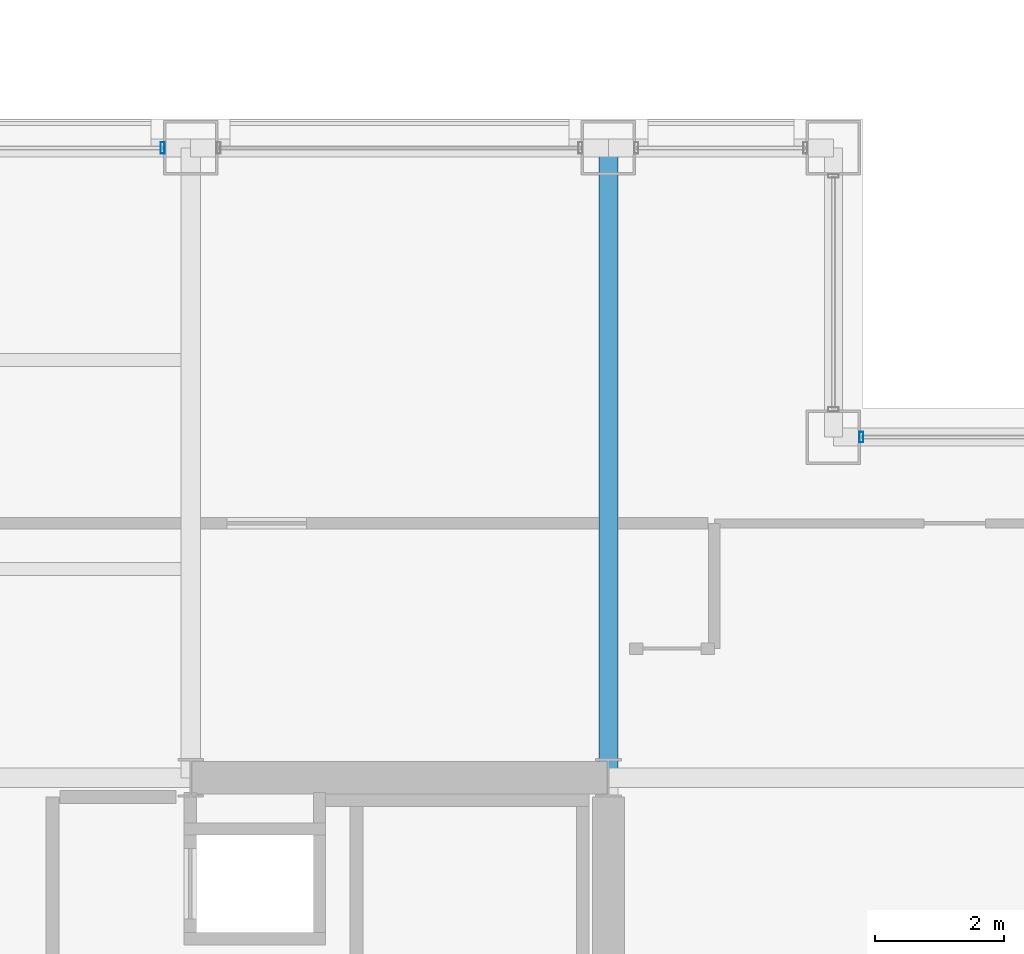
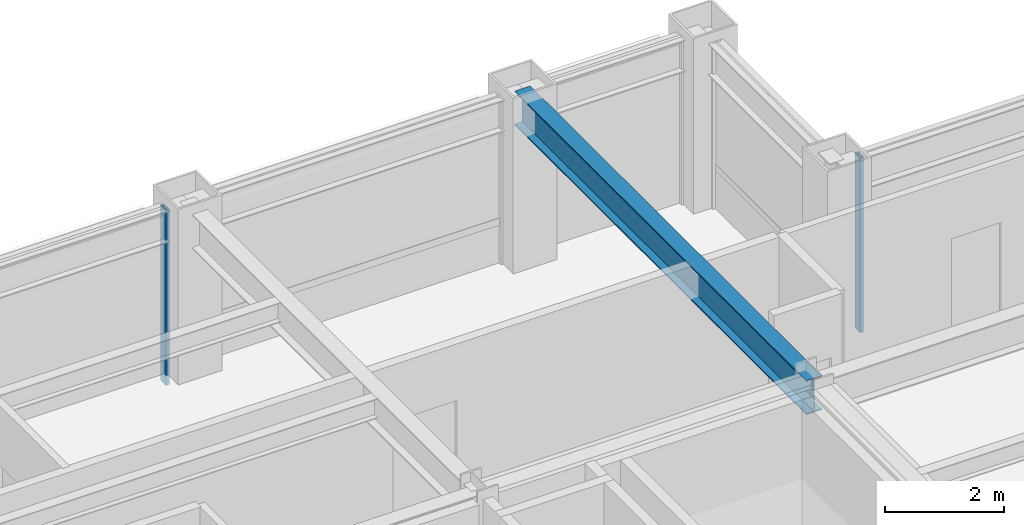
# One storey, part 26 of 34: 2 members, 1 beam, 2 elements without a shape of their own.
"""IFC4 building model written with IfcOpenShell, lengths in metres."""

from ifc_helpers import new_model, si_unit, direction, frame, origin, origin_2d, place, context, subcontext, project, spatial, hollow_rectangle, i_section, extrude, material, layer, layer_set, material_profile, profile_set, type_object, element, aggregate, save


model = new_model("IFC4")

# Units and contexts
model_context = context("Model", 3, precision=1e-05, world=origin(), true_north=direction((0.0, 1.0)))
body_context = subcontext(model_context, "Body", "Model", "MODEL_VIEW")
ifc_project = project(units=[si_unit("LENGTHUNIT", "METRE"), si_unit("AREAUNIT", "SQUARE_METRE"), si_unit("VOLUMEUNIT", "CUBIC_METRE"), si_unit("PLANEANGLEUNIT", "RADIAN"), si_unit("MASSUNIT", "GRAM", prefix="KILO")], contexts=[model_context])

# Site, building, storey
site_placement = place(None, origin())
site = spatial("IfcSite", under=ifc_project, at=site_placement, CompositionType="ELEMENT")
building_placement = place(site_placement, origin())
building = spatial("IfcBuilding", under=site, at=building_placement, Name="Brelmoor Portico Tower", CompositionType="ELEMENT")
storey_placement = place(building_placement, frame((0.0, 0.0, 117.0)))
storey = spatial("IfcBuildingStorey", under=building, at=storey_placement, Name="L30", CompositionType="ELEMENT", Elevation=117.0)

# Beam
ifc_material_1 = material(Name="Steel Q355B", Category="steel")
ifc_material_profile_1 = material_profile(ifc_material_1, i_section(OverallWidth=0.300048828125, OverallDepth=0.699951171875, WebThickness=0.012939453125, FlangeThickness=0.02392578125, at=origin_2d()), Name="HN 700x300x13x24")
ifc_profile_set_1 = profile_set([ifc_material_profile_1], Name="Steel Q355B")
beam_type = type_object("IfcBeamType", Name="BM-PG-700", PredefinedType="BEAM", material=ifc_profile_set_1)
beam_placement = place(storey_placement, frame((14.550048828125, 9.75, 3.050048828125), z_axis=(0.0, 1.0, 0.0), x_axis=(-1.0, 0.0, 0.0)))
element("IfcBeam", 1, at=beam_placement, inside=storey, type_object=beam_type, Name="L30 Primary Floor Girder PG-13", PredefinedType="BEAM", context=body_context, shape_type="SweptSolid", body=[
    extrude(i_section(OverallWidth=0.300048828125, OverallDepth=0.699951171875, WebThickness=0.012939453125, FlangeThickness=0.02392578125, at=origin_2d()), origin(), (0.0, 0.0, 1.0), 9.800048828125),
])

# Curtain wall, member
ifc_material_2 = material(Name="Anodised Aluminium Alloy 6063-T6", Category="aluminium")
ifc_layer_1 = layer(ifc_material_2, 0.179931640625)
ifc_layer_set_1 = layer_set([ifc_layer_1], Name="Anodised Aluminium Alloy 6063-T6")
curtain_wall_type_1 = type_object("IfcCurtainWallType", Name="CW-NOTCH-CHAMFER", PredefinedType="NOTDEFINED", material=ifc_layer_set_1)
curtain_wall_1_placement = place(storey_placement, origin())
curtain_wall_1 = element("IfcCurtainWall", 2, at=curtain_wall_1_placement, inside=storey, type_object=curtain_wall_type_1, Name="L30 Curtain Wall CWN-L30-NEH", PredefinedType="NOTDEFINED")
ifc_material_profile_2 = material_profile(ifc_material_2, hollow_rectangle(XDim=0.06494140625, YDim=0.1650390625, WallThickness=0.00390625, at=origin_2d()), Name="ALU MULLION 65x165")
ifc_profile_set_2 = profile_set([ifc_material_profile_2], Name="Anodised Aluminium Alloy 6063-T6")
member_type_1 = type_object("IfcMemberType", Name="MB-CW-MULL-165", PredefinedType="MULLION", material=ifc_profile_set_2)
member_1_placement = place(storey_placement, frame((18.485107421875, 15.050048828125, -0.199951171875), z_axis=(0.0, 0.0, 1.0), x_axis=(1.0, 0.0, 0.0)))
member_1 = element("IfcMember", 3, at=member_1_placement, type_object=member_type_1, Name="CWN-L30-NEH Mullion 00", PredefinedType="MULLION", context=body_context, shape_type="SweptSolid", body=[
    extrude(hollow_rectangle(XDim=0.06494140625, YDim=0.1650390625, WallThickness=0.00390625, at=origin_2d()), origin(), (0.0, 0.0, 1.0), 3.599853515625),
])
aggregate(curtain_wall_1, [member_1])

ifc_layer_2 = layer(ifc_material_2, 0.179931640625)
ifc_layer_set_2 = layer_set([ifc_layer_2], Name="Anodised Aluminium Alloy 6063-T6")
curtain_wall_type_2 = type_object("IfcCurtainWallType", Name="CW-TOWER-Z2-XB", PredefinedType="NOTDEFINED", material=ifc_layer_set_2)
curtain_wall_2_placement = place(storey_placement, origin())
curtain_wall_2 = element("IfcCurtainWall", 4, at=curtain_wall_2_placement, inside=storey, type_object=curtain_wall_type_2, Name="L30 Curtain Wall CW-L30-02-3", PredefinedType="NOTDEFINED")
ifc_material_profile_3 = material_profile(ifc_material_2, hollow_rectangle(XDim=0.06494140625, YDim=0.179931640625, WallThickness=0.00390625, at=origin_2d()), Name="ALU MULLION 65x180")
ifc_profile_set_3 = profile_set([ifc_material_profile_3], Name="Anodised Aluminium Alloy 6063-T6")
member_type_2 = type_object("IfcMemberType", Name="MB-CW-MULL-180", PredefinedType="MULLION", material=ifc_profile_set_3)
member_2_placement = place(storey_placement, frame((7.614990234375, 19.550048828125, -0.199951171875), z_axis=(0.0, 0.0, 1.0), x_axis=(1.0, 0.0, 0.0)))
member_2 = element("IfcMember", 5, at=member_2_placement, type_object=member_type_2, Name="CW-L30-02-3 Mullion 01", PredefinedType="MULLION", context=body_context, shape_type="SweptSolid", body=[
    extrude(hollow_rectangle(XDim=0.06494140625, YDim=0.179931640625, WallThickness=0.00390625, at=origin_2d()), origin(), (0.0, 0.0, 1.0), 3.599853515625),
])
aggregate(curtain_wall_2, [member_2])

save(model, "model.ifc")
